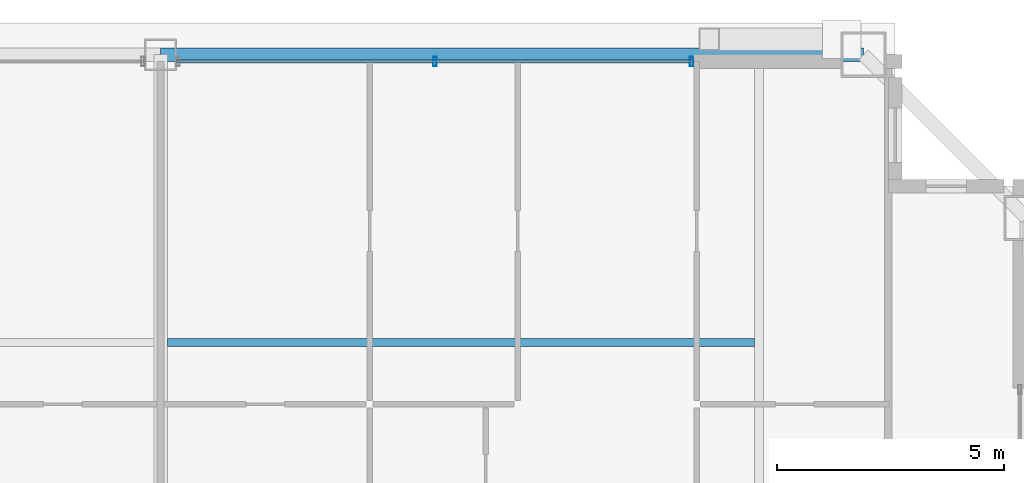
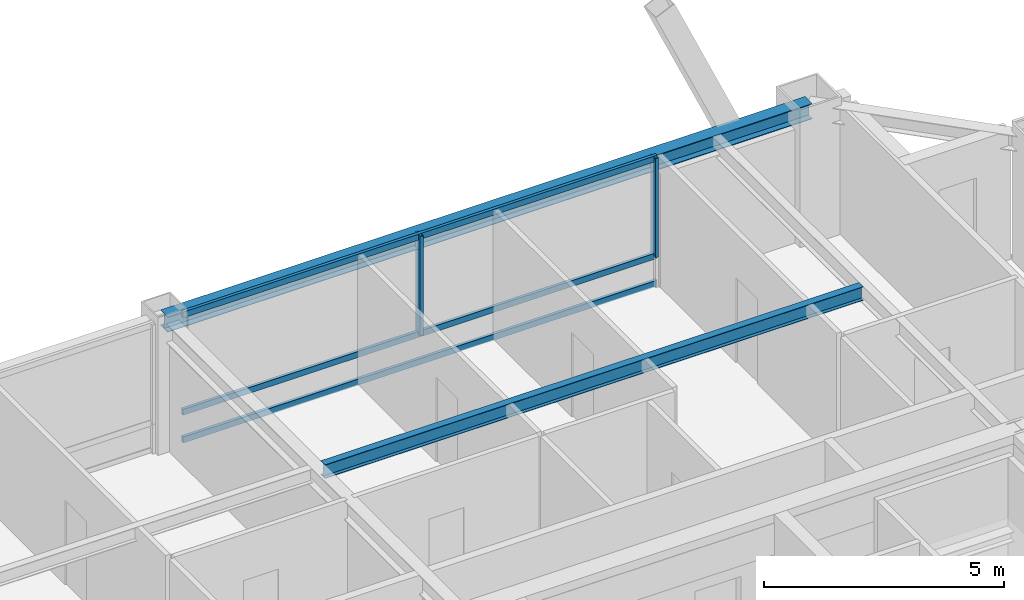
# One storey, part 18 of 35: 5 members, 2 beams, 1 element without a shape of its own.
"""IFC4 building model written with IfcOpenShell, lengths in metres."""

import ifcopenshell
import ifcopenshell.guid

model = None  # the IFC model being written
_history = None  # IfcOwnerHistory: only IFC2X3 demands one
_inside = {}  # id of a spatial element -> (the spatial element, [elements in it])
_under = {}  # id of a project, library or spatial element -> (it, [spatial elements below it])
_declared = {}  # id of a project -> (the project, [libraries it declares])
_typed = {}  # id of a type object -> (the type object, [elements of that type])
_made_of = {}  # id of a material, layer set ... -> (it, [elements and type objects made of it])


def new_model(schema):
    """Start an empty IFC model of exactly this schema.

    Asked for "IFC4X3", IfcOpenShell would pick the latest addendum, in which some entities
    have other attributes; the version numbers below select the first issue.
    IFC2X3 requires an IfcOwnerHistory on every rooted entity: one is made here for all.
    """
    global model, _history
    if schema == "IFC4X3":
        model = ifcopenshell.file(schema_version=(4, 3, 0, 0))
    else:
        model = ifcopenshell.file(schema=schema)
    _inside.clear()
    _under.clear()
    _declared.clear()
    _typed.clear()
    _made_of.clear()
    _history = None
    if model.schema == "IFC2X3":
        org = make("IfcOrganization", Name="unknown")
        user = make(
            "IfcPersonAndOrganization",
            ThePerson=make("IfcPerson", FamilyName="unknown"),
            TheOrganization=org,
        )
        app = make(
            "IfcApplication",
            ApplicationDeveloper=org,
            Version="unknown",
            ApplicationFullName="unknown",
            ApplicationIdentifier="unknown",
        )
        _history = make(
            "IfcOwnerHistory",
            OwningUser=user,
            OwningApplication=app,
            ChangeAction="ADDED",
            CreationDate=0,
        )
    return model


def make(cls, **values):
    """One entity of the class cls with the attributes given. An attribute that is None is left unset."""
    return model.create_entity(
        cls, **{name: value for name, value in values.items() if value is not None}
    )


def rooted(cls, **values):
    """An entity with a GlobalId (a new one), such as an element, a storey or a relation."""
    return make(cls, GlobalId=ifcopenshell.guid.new(), OwnerHistory=_history, **values)


def si_unit(unit_type, name, prefix=None):
    """IfcSIUnit, for example si_unit("LENGTHUNIT", "METRE", prefix="MILLI")."""
    return make("IfcSIUnit", UnitType=unit_type, Prefix=prefix, Name=name)


def assignment(units):
    """IfcUnitAssignment: the units of a project."""
    return None if units is None else make("IfcUnitAssignment", Units=units)


def point(xyz):
    """IfcCartesianPoint."""
    return None if xyz is None else make("IfcCartesianPoint", Coordinates=xyz)


def direction(xyz):
    """IfcDirection."""
    return None if xyz is None else make("IfcDirection", DirectionRatios=xyz)


def frame(location, z_axis=None, x_axis=None):
    """IfcAxis2Placement3D, a coordinate frame: its origin and axes. An axis left out is left unset."""
    return make(
        "IfcAxis2Placement3D",
        Location=point(location),
        Axis=direction(z_axis),
        RefDirection=direction(x_axis),
    )


def frame_2d(location, x_axis=None):
    """IfcAxis2Placement2D, a coordinate frame in the plane: its origin and x axis."""
    return make(
        "IfcAxis2Placement2D", Location=point(location), RefDirection=direction(x_axis)
    )


def origin():
    """The frame at (0, 0, 0) with its axes left unset."""
    return frame((0.0, 0.0, 0.0))


def origin_2d():
    """The frame at (0, 0) in the plane with its x axis left unset."""
    return frame_2d((0.0, 0.0))


def place(relative_to, where):
    """IfcLocalPlacement: puts the frame where relative to a parent placement (None: the world)."""
    return make(
        "IfcLocalPlacement", PlacementRelTo=relative_to, RelativePlacement=where
    )


def context(
    kind, dimensions, precision=None, world=None, true_north=None, identifier=None
):
    """IfcGeometricRepresentationContext, for example the 3D "Model" context."""
    return make(
        "IfcGeometricRepresentationContext",
        ContextIdentifier=identifier,
        ContextType=kind,
        CoordinateSpaceDimension=dimensions,
        Precision=precision,
        WorldCoordinateSystem=world,
        TrueNorth=true_north,
    )


def subcontext(parent, identifier, kind, view, scale=None):
    """IfcGeometricRepresentationSubContext, for example "Body" below "Model"."""
    return make(
        "IfcGeometricRepresentationSubContext",
        ContextIdentifier=identifier,
        ContextType=kind,
        ParentContext=parent,
        TargetScale=scale,
        TargetView=view,
    )


def project(units=None, contexts=None):
    """IfcProject with its units and contexts."""
    return rooted(
        "IfcProject",
        Name="project",
        RepresentationContexts=contexts,
        UnitsInContext=assignment(units),
    )


def spatial(cls, under=None, at=None, **own):
    """A site, building, storey or space (cls), placed at a placement, below another one or the project."""
    s = rooted(cls, ObjectPlacement=at, **own)
    if under is not None:
        _under.setdefault(under.id(), (under, []))[1].append(s)
    return s


def profile(cls, at=None, kind="AREA", **sizes):
    """A parametric profile (cls). Its sizes go by their IFC names, for example OverallWidth=200.0."""
    return make(cls, ProfileType=kind, Position=at, **sizes)


def hollow_rectangle(**sizes):
    """IfcRectangleHollowProfileDef."""
    return profile("IfcRectangleHollowProfileDef", **sizes)


def i_section(**sizes):
    """IfcIShapeProfileDef."""
    return profile("IfcIShapeProfileDef", **sizes)


def extrude(swept, where, along, depth):
    """IfcExtrudedAreaSolid: the profile swept, set in the frame where, extruded along a direction by depth."""
    return make(
        "IfcExtrudedAreaSolid",
        SweptArea=swept,
        Position=where,
        ExtrudedDirection=direction(along),
        Depth=depth,
    )


def shape(context_of_items, identifier, shape_type, items):
    """IfcShapeRepresentation: the items that make up one representation, for example the "Body"."""
    return make(
        "IfcShapeRepresentation",
        ContextOfItems=context_of_items,
        RepresentationIdentifier=identifier,
        RepresentationType=shape_type,
        Items=items,
    )


def source(mapping_origin, context_of_items, identifier, shape_type, items):
    """IfcRepresentationMap: a shape defined once, which mapped items show again and again."""
    return make(
        "IfcRepresentationMap",
        MappingOrigin=mapping_origin,
        MappedRepresentation=shape(context_of_items, identifier, shape_type, items),
    )


def transform(
    local_origin,
    x_axis=None,
    y_axis=None,
    z_axis=None,
    scale=None,
    scale2=None,
    scale3=None,
    uniform=True,
):
    """IfcCartesianTransformationOperator3D, or its non-uniform kind. x_axis, y_axis, z_axis: its Axis1, 2, 3."""
    if uniform:
        return make(
            "IfcCartesianTransformationOperator3D",
            Axis1=direction(x_axis),
            Axis2=direction(y_axis),
            LocalOrigin=point(local_origin),
            Scale=scale,
            Axis3=direction(z_axis),
        )
    return make(
        "IfcCartesianTransformationOperator3DnonUniform",
        Axis1=direction(x_axis),
        Axis2=direction(y_axis),
        LocalOrigin=point(local_origin),
        Scale=scale,
        Axis3=direction(z_axis),
        Scale2=scale2,
        Scale3=scale3,
    )


def mapped(mapping_source, mapping_target):
    """IfcMappedItem: shows the shape of a source again, moved by a transform."""
    return make(
        "IfcMappedItem", MappingSource=mapping_source, MappingTarget=mapping_target
    )


def material(Name=None, Category=None):
    """IfcMaterial."""
    return make("IfcMaterial", Name=Name, Category=Category)


def layer(
    of_material, thickness, ventilated=None, Name=None, Category=None, Priority=None
):
    """IfcMaterialLayer: one layer of a wall or slab, of a material (None: an air gap)."""
    return make(
        "IfcMaterialLayer",
        Material=of_material,
        LayerThickness=thickness,
        IsVentilated=ventilated,
        Name=Name,
        Category=Category,
        Priority=Priority,
    )


def layer_set(layers, Name=None):
    """IfcMaterialLayerSet."""
    return make("IfcMaterialLayerSet", MaterialLayers=layers, LayerSetName=Name)


def material_profile(
    of_material, cross_section, Name=None, Category=None, Priority=None
):
    """IfcMaterialProfile: a cross section and its material."""
    return make(
        "IfcMaterialProfile",
        Name=Name,
        Material=of_material,
        Profile=cross_section,
        Priority=Priority,
        Category=Category,
    )


def profile_set(profiles, Name=None, composite=None):
    """IfcMaterialProfileSet."""
    return make(
        "IfcMaterialProfileSet",
        Name=Name,
        MaterialProfiles=profiles,
        CompositeProfile=composite,
    )


def made_of(thing, what):
    """Note that an element or type object is made of a material, layer set ...; save() writes the relation."""
    if what is not None:
        _made_of.setdefault(what.id(), (what, []))[1].append(thing)
    return thing


def type_object(cls, material=None, **own):
    """A type object (cls), such as IfcWallType, which elements share."""
    return made_of(rooted(cls, **own), material)


def element(
    cls,
    number,
    at=None,
    inside=None,
    cuts=None,
    type_object=None,
    material=None,
    context=None,
    identifier="Body",
    shape_type=None,
    held_by="IfcProductDefinitionShape",
    body=None,
    shapes=None,
    **own,
):
    """One element of the class cls, such as IfcWall. Its Tag is "e" and its number.

    at: its placement. inside: the storey or other place that contains it. cuts: it is an
    opening in that element (IfcRelVoidsElement). A single representation is given by context,
    identifier, shape_type and body (its items); several are given by shapes. held_by: the class
    of the entity that holds the representations. save() writes the other relations.
    """
    e = rooted(cls, Tag="e%d" % number, ObjectPlacement=at, **own)
    if body is not None:
        shapes = [shape(context, identifier, shape_type, body)]
    if shapes is not None:
        e.Representation = make(held_by, Representations=shapes)
    if inside is not None:
        _inside.setdefault(inside.id(), (inside, []))[1].append(e)
    if cuts is not None:
        rooted(
            "IfcRelVoidsElement", RelatingBuildingElement=cuts, RelatedOpeningElement=e
        )
    if type_object is not None:
        _typed.setdefault(type_object.id(), (type_object, []))[1].append(e)
    return made_of(e, material)


def aggregate(whole, parts):
    """IfcRelAggregates: a whole, such as a stair, and the parts it consists of."""
    return rooted("IfcRelAggregates", RelatingObject=whole, RelatedObjects=parts)


def save(model, path):
    """Write the relations noted so far, then the file.

    IfcRelAggregates (storeys below a building ...), IfcRelContainedInSpatialStructure (elements
    in a storey), IfcRelDefinesByType, IfcRelAssociatesMaterial and IfcRelDeclares: one each for
    every whole, place, type object, material and project.
    """
    for whole, parts in _under.values():
        aggregate(whole, parts)
    for where, things in _inside.values():
        rooted(
            "IfcRelContainedInSpatialStructure",
            RelatedElements=things,
            RelatingStructure=where,
        )
    for kind, things in _typed.values():
        rooted("IfcRelDefinesByType", RelatedObjects=things, RelatingType=kind)
    for what, things in _made_of.values():
        rooted("IfcRelAssociatesMaterial", RelatedObjects=things, RelatingMaterial=what)
    for by, libraries in _declared.values():
        rooted("IfcRelDeclares", RelatingContext=by, RelatedDefinitions=libraries)
    model.write(path)


model = new_model("IFC4")

# Units and contexts
model_context = context("Model", 3, precision=1e-05, world=origin(), true_north=direction((0.0, 1.0)))
body_context = subcontext(model_context, "Body", "Model", "MODEL_VIEW")
ifc_project = project(units=[si_unit("LENGTHUNIT", "METRE"), si_unit("AREAUNIT", "SQUARE_METRE"), si_unit("VOLUMEUNIT", "CUBIC_METRE"), si_unit("PLANEANGLEUNIT", "RADIAN"), si_unit("MASSUNIT", "GRAM", prefix="KILO"), si_unit("THERMODYNAMICTEMPERATUREUNIT", "KELVIN"), si_unit("POWERUNIT", "WATT")], contexts=[model_context])

# Site, building, storey
site_placement = place(None, origin())
site = spatial("IfcSite", under=ifc_project, at=site_placement, CompositionType="ELEMENT")
building_placement = place(site_placement, origin())
building = spatial("IfcBuilding", under=site, at=building_placement, Name="Yuzanri Waterfront Tower", CompositionType="ELEMENT")
storey_placement = place(building_placement, frame((0.0, 0.0, 299.60009765625)))
storey = spatial("IfcBuildingStorey", under=building, at=storey_placement, Name="L80", CompositionType="ELEMENT", Elevation=299.60009765625)

# Beams
ifc_material_1 = material(Name="Steel Q355B", Category="steel")
ifc_material_profile_1 = material_profile(ifc_material_1, i_section(OverallWidth=0.175048828125, OverallDepth=0.35009765625, WebThickness=0.007080078125, FlangeThickness=0.010986328125, at=origin_2d()), Name="HN 350x175x7x11")
ifc_profile_set_1 = profile_set([ifc_material_profile_1], Name="Steel Q355B")
beam_type_1 = type_object("IfcBeamType", Name="Floor Joist Q355B HN 350x175", PredefinedType="JOIST", material=ifc_profile_set_1)
shared_shape_1 = source(origin(), body_context, "Body", "SweptSolid", [
    extrude(i_section(OverallWidth=0.175048828125, OverallDepth=0.35009765625, WebThickness=0.007080078125, FlangeThickness=0.010986328125, at=origin_2d()), origin(), (0.0, 0.0, 1.0), 12.9501953125),
])
beam_1_placement = place(storey_placement, frame((37.14990234375, 38.550048828125, 3.10498046875), z_axis=(1.0, 0.0, 0.0), x_axis=(0.0, 1.0, 0.0)))
element("IfcBeam", 1, at=beam_1_placement, inside=storey, type_object=beam_type_1, Name="L80 North Bay Joist E", PredefinedType="JOIST", context=body_context, shape_type="MappedRepresentation", body=[
    mapped(shared_shape_1, transform((0.0, 0.0, 0.0), scale=1.0)),
])
ifc_material_2 = material(Name="Steel Q355B", Category="steel")
ifc_material_profile_2 = material_profile(ifc_material_2, i_section(OverallWidth=0.300048828125, OverallDepth=0.389892578125, WebThickness=0.010009765625, FlangeThickness=0.01611328125, at=origin_2d()), Name="HM 390x300x10x16")
ifc_profile_set_2 = profile_set([ifc_material_profile_2], Name="Steel Q355B")
beam_type_2 = type_object("IfcBeamType", Name="Perimeter Spandrel Q355B HM 390x300", PredefinedType="SPANDREL", material=ifc_profile_set_2)
shared_shape_2 = source(origin(), body_context, "Body", "SweptSolid", [
    extrude(i_section(OverallWidth=0.300048828125, OverallDepth=0.389892578125, WebThickness=0.010009765625, FlangeThickness=0.01611328125, at=origin_2d()), origin(), (0.0, 0.0, 1.0), 15.5),
])
beam_2_placement = place(storey_placement, frame((52.5, 44.89990234375, 3.0849609375), z_axis=(-1.0, 0.0, 0.0), x_axis=(0.0, -1.0, 0.0)))
element("IfcBeam", 2, at=beam_2_placement, inside=storey, type_object=beam_type_2, Name="L80 Perimeter Spandrel N3-N2", PredefinedType="SPANDREL", context=body_context, shape_type="MappedRepresentation", body=[
    mapped(shared_shape_2, transform((0.0, 0.0, 0.0), scale=1.0)),
])

# Curtain wall, members
ifc_material_3 = material(Name="Anodized Architectural Bronze", Category="metal")
ifc_layer = layer(ifc_material_3, 0.159912109375)
ifc_layer_set = layer_set([ifc_layer], Name="Anodized Architectural Bronze")
curtain_wall_type = type_object("IfcCurtainWallType", Name="Anodized Bronze High-Rise Penthouse High-Wind Unitized Curtain Wall 6900", PredefinedType="NOTDEFINED", material=ifc_layer_set)
curtain_wall_placement = place(storey_placement, origin())
curtain_wall = element("IfcCurtainWall", 3, at=curtain_wall_placement, inside=storey, type_object=curtain_wall_type, Name="L80 Curtain Wall CW-L80-NR", PredefinedType="NOTDEFINED")
ifc_material_4 = material(Name="Anodized Architectural Bronze", Category="metal")
ifc_material_profile_3 = material_profile(ifc_material_4, hollow_rectangle(XDim=0.074951171875, YDim=0.199951171875, WallThickness=0.00390625, at=origin_2d()), Name="CWM 75x200")
ifc_profile_set_3 = profile_set([ifc_material_profile_3], Name="Anodized Architectural Bronze")
member_type_1 = type_object("IfcMemberType", Name="Anodized Bronze Primary Curtain-Wall Mullion 75x200", PredefinedType="MULLION", material=ifc_profile_set_3)
shared_shape_3 = source(origin(), body_context, "Body", "SweptSolid", [
    extrude(hollow_rectangle(XDim=0.074951171875, YDim=0.199951171875, WallThickness=0.00390625, at=origin_2d()), origin(), (0.0, 0.0, 1.0), 2.52392578125),
])
member_1_placement = place(storey_placement, frame((43.050048828125, 44.75, 0.755859375), z_axis=(0.0, 0.0, 1.0), x_axis=(1.0, 0.0, 0.0)))
member_1 = element("IfcMember", 4, at=member_1_placement, type_object=member_type_1, Name="CW-L80-NR Upper Mullion 01", PredefinedType="MULLION", context=body_context, shape_type="MappedRepresentation", body=[
    mapped(shared_shape_3, transform((0.0, 0.0, 0.0), scale=1.0)),
])
member_2_placement = place(storey_placement, frame((48.7099609375, 44.75, 0.755859375), z_axis=(0.0, 0.0, 1.0), x_axis=(1.0, 0.0, 0.0)))
member_2 = element("IfcMember", 5, at=member_2_placement, type_object=member_type_1, Name="CW-L80-NR Upper Mullion 02", PredefinedType="MULLION", context=body_context, shape_type="MappedRepresentation", body=[
    mapped(shared_shape_3, transform((0.0, 0.0, 0.0), scale=1.0)),
])
ifc_material_5 = material(Name="Anodized Architectural Bronze", Category="metal")
ifc_material_profile_4 = material_profile(ifc_material_5, hollow_rectangle(XDim=0.074951171875, YDim=0.14990234375, WallThickness=0.00390625, at=origin_2d()), Name="CWT 75x150")
ifc_profile_set_4 = profile_set([ifc_material_profile_4], Name="Anodized Architectural Bronze")
member_type_2 = type_object("IfcMemberType", Name="Anodized Bronze Primary Curtain-Wall Transom 75x150", PredefinedType="USERDEFINED", material=ifc_profile_set_4)
shared_shape_4 = source(origin(), body_context, "Body", "SweptSolid", [
    extrude(hollow_rectangle(XDim=0.074951171875, YDim=0.14990234375, WallThickness=0.00390625, at=origin_2d()), origin(), (0.0, 0.0, 1.0), 11.39990234375),
])
member_3_placement = place(storey_placement, frame((37.35009765625, 44.75, 0.0498046875), z_axis=(1.0, 0.0, 0.0), x_axis=(0.0, 1.0, 0.0)))
member_3 = element("IfcMember", 6, at=member_3_placement, type_object=member_type_2, Name="CW-L80-NR Transom 1", ObjectType="TRANSOM", PredefinedType="USERDEFINED", context=body_context, shape_type="MappedRepresentation", body=[
    mapped(shared_shape_4, transform((0.0, 0.0, 0.0), scale=1.0)),
])
member_4_placement = place(storey_placement, frame((37.35009765625, 44.75, 0.75390625), z_axis=(1.0, 0.0, 0.0), x_axis=(0.0, 1.0, 0.0)))
member_4 = element("IfcMember", 7, at=member_4_placement, type_object=member_type_2, Name="CW-L80-NR Transom 2", ObjectType="TRANSOM", PredefinedType="USERDEFINED", context=body_context, shape_type="MappedRepresentation", body=[
    mapped(shared_shape_4, transform((0.0, 0.0, 0.0), scale=1.0)),
])
member_5_placement = place(storey_placement, frame((37.35009765625, 44.75, 3.22998046875), z_axis=(1.0, 0.0, 0.0), x_axis=(0.0, 1.0, 0.0)))
member_5 = element("IfcMember", 8, at=member_5_placement, type_object=member_type_2, Name="CW-L80-NR Transom 3", ObjectType="TRANSOM", PredefinedType="USERDEFINED", context=body_context, shape_type="MappedRepresentation", body=[
    mapped(shared_shape_4, transform((0.0, 0.0, 0.0), scale=1.0)),
])
aggregate(curtain_wall, [member_1, member_2, member_3, member_4, member_5])

save(model, "model.ifc")
